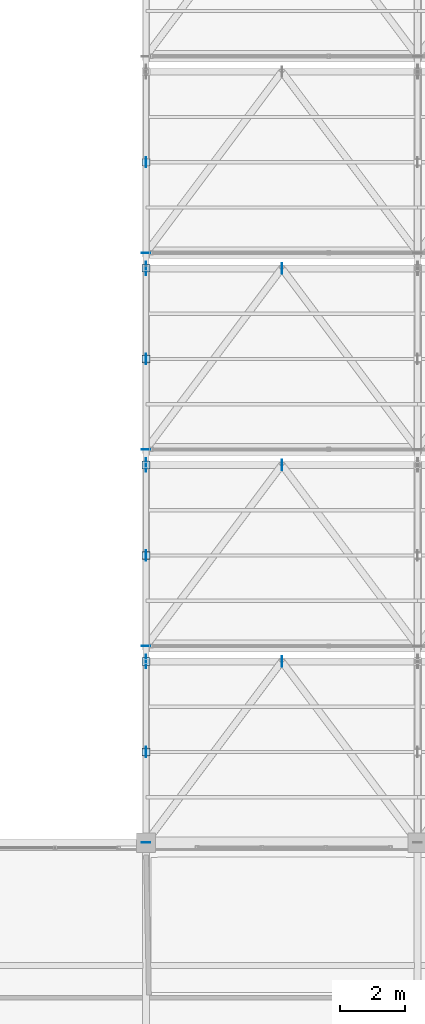
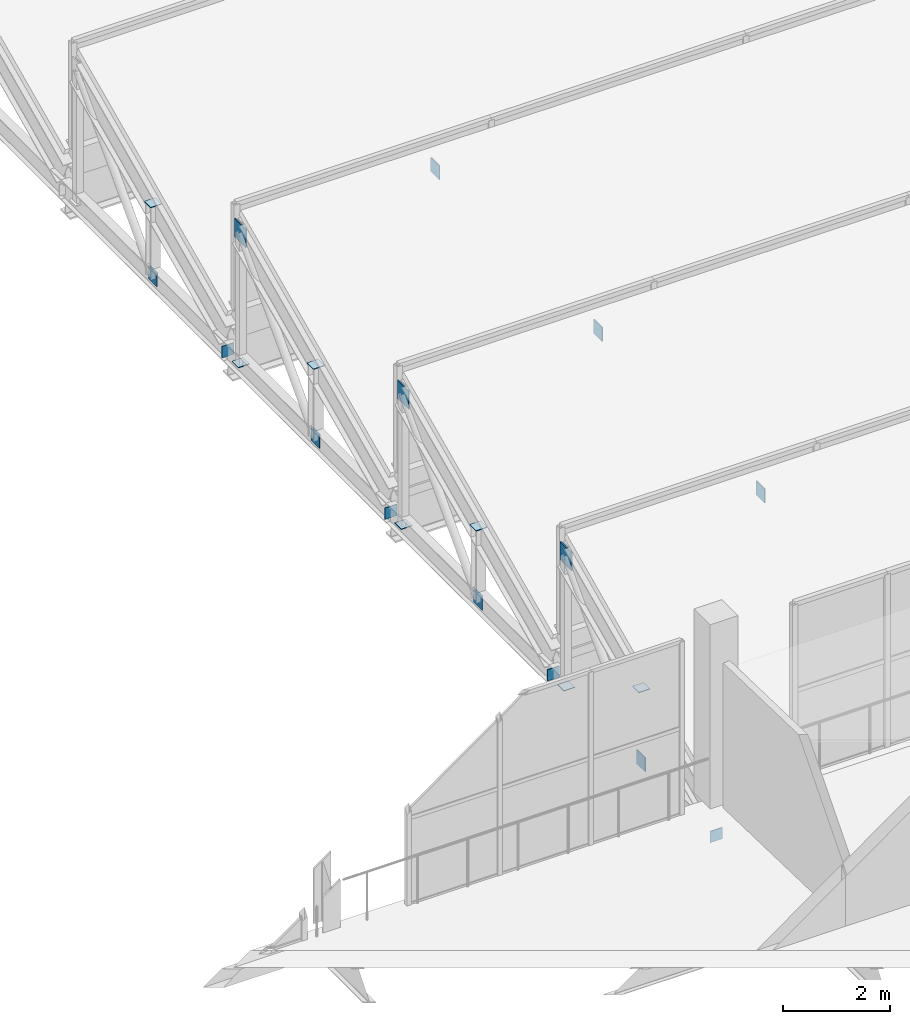
# One storey, part 178 of 217: 21 plates.
"""IFC4 building model written with IfcOpenShell, lengths in metres."""

import ifcopenshell
import ifcopenshell.guid

model = None  # the IFC model being written
_history = None  # IfcOwnerHistory: only IFC2X3 demands one
_inside = {}  # id of a spatial element -> (the spatial element, [elements in it])
_under = {}  # id of a project, library or spatial element -> (it, [spatial elements below it])
_declared = {}  # id of a project -> (the project, [libraries it declares])
_typed = {}  # id of a type object -> (the type object, [elements of that type])
_made_of = {}  # id of a material, layer set ... -> (it, [elements and type objects made of it])


def new_model(schema):
    """Start an empty IFC model of exactly this schema.

    Asked for "IFC4X3", IfcOpenShell would pick the latest addendum, in which some entities
    have other attributes; the version numbers below select the first issue.
    IFC2X3 requires an IfcOwnerHistory on every rooted entity: one is made here for all.
    """
    global model, _history
    if schema == "IFC4X3":
        model = ifcopenshell.file(schema_version=(4, 3, 0, 0))
    else:
        model = ifcopenshell.file(schema=schema)
    _inside.clear()
    _under.clear()
    _declared.clear()
    _typed.clear()
    _made_of.clear()
    _history = None
    if model.schema == "IFC2X3":
        org = make("IfcOrganization", Name="unknown")
        user = make(
            "IfcPersonAndOrganization",
            ThePerson=make("IfcPerson", FamilyName="unknown"),
            TheOrganization=org,
        )
        app = make(
            "IfcApplication",
            ApplicationDeveloper=org,
            Version="unknown",
            ApplicationFullName="unknown",
            ApplicationIdentifier="unknown",
        )
        _history = make(
            "IfcOwnerHistory",
            OwningUser=user,
            OwningApplication=app,
            ChangeAction="ADDED",
            CreationDate=0,
        )
    return model


def make(cls, **values):
    """One entity of the class cls with the attributes given. An attribute that is None is left unset."""
    return model.create_entity(
        cls, **{name: value for name, value in values.items() if value is not None}
    )


def rooted(cls, **values):
    """An entity with a GlobalId (a new one), such as an element, a storey or a relation."""
    return make(cls, GlobalId=ifcopenshell.guid.new(), OwnerHistory=_history, **values)


def si_unit(unit_type, name, prefix=None):
    """IfcSIUnit, for example si_unit("LENGTHUNIT", "METRE", prefix="MILLI")."""
    return make("IfcSIUnit", UnitType=unit_type, Prefix=prefix, Name=name)


def assignment(units):
    """IfcUnitAssignment: the units of a project."""
    return None if units is None else make("IfcUnitAssignment", Units=units)


def point(xyz):
    """IfcCartesianPoint."""
    return None if xyz is None else make("IfcCartesianPoint", Coordinates=xyz)


def direction(xyz):
    """IfcDirection."""
    return None if xyz is None else make("IfcDirection", DirectionRatios=xyz)


def frame(location, z_axis=None, x_axis=None):
    """IfcAxis2Placement3D, a coordinate frame: its origin and axes. An axis left out is left unset."""
    return make(
        "IfcAxis2Placement3D",
        Location=point(location),
        Axis=direction(z_axis),
        RefDirection=direction(x_axis),
    )


def frame_2d(location, x_axis=None):
    """IfcAxis2Placement2D, a coordinate frame in the plane: its origin and x axis."""
    return make(
        "IfcAxis2Placement2D", Location=point(location), RefDirection=direction(x_axis)
    )


def origin():
    """The frame at (0, 0, 0) with its axes left unset."""
    return frame((0.0, 0.0, 0.0))


def origin_2d():
    """The frame at (0, 0) in the plane with its x axis left unset."""
    return frame_2d((0.0, 0.0))


def place(relative_to, where):
    """IfcLocalPlacement: puts the frame where relative to a parent placement (None: the world)."""
    return make(
        "IfcLocalPlacement", PlacementRelTo=relative_to, RelativePlacement=where
    )


def context(
    kind, dimensions, precision=None, world=None, true_north=None, identifier=None
):
    """IfcGeometricRepresentationContext, for example the 3D "Model" context."""
    return make(
        "IfcGeometricRepresentationContext",
        ContextIdentifier=identifier,
        ContextType=kind,
        CoordinateSpaceDimension=dimensions,
        Precision=precision,
        WorldCoordinateSystem=world,
        TrueNorth=true_north,
    )


def subcontext(parent, identifier, kind, view, scale=None):
    """IfcGeometricRepresentationSubContext, for example "Body" below "Model"."""
    return make(
        "IfcGeometricRepresentationSubContext",
        ContextIdentifier=identifier,
        ContextType=kind,
        ParentContext=parent,
        TargetScale=scale,
        TargetView=view,
    )


def project(units=None, contexts=None):
    """IfcProject with its units and contexts."""
    return rooted(
        "IfcProject",
        Name="project",
        RepresentationContexts=contexts,
        UnitsInContext=assignment(units),
    )


def spatial(cls, under=None, at=None, **own):
    """A site, building, storey or space (cls), placed at a placement, below another one or the project."""
    s = rooted(cls, ObjectPlacement=at, **own)
    if under is not None:
        _under.setdefault(under.id(), (under, []))[1].append(s)
    return s


def profile(cls, at=None, kind="AREA", **sizes):
    """A parametric profile (cls). Its sizes go by their IFC names, for example OverallWidth=200.0."""
    return make(cls, ProfileType=kind, Position=at, **sizes)


def rectangle(**sizes):
    """IfcRectangleProfileDef."""
    return profile("IfcRectangleProfileDef", **sizes)


def extrude(swept, where, along, depth):
    """IfcExtrudedAreaSolid: the profile swept, set in the frame where, extruded along a direction by depth."""
    return make(
        "IfcExtrudedAreaSolid",
        SweptArea=swept,
        Position=where,
        ExtrudedDirection=direction(along),
        Depth=depth,
    )


def shape(context_of_items, identifier, shape_type, items):
    """IfcShapeRepresentation: the items that make up one representation, for example the "Body"."""
    return make(
        "IfcShapeRepresentation",
        ContextOfItems=context_of_items,
        RepresentationIdentifier=identifier,
        RepresentationType=shape_type,
        Items=items,
    )


def material(Name=None, Category=None):
    """IfcMaterial."""
    return make("IfcMaterial", Name=Name, Category=Category)


def layer(
    of_material, thickness, ventilated=None, Name=None, Category=None, Priority=None
):
    """IfcMaterialLayer: one layer of a wall or slab, of a material (None: an air gap)."""
    return make(
        "IfcMaterialLayer",
        Material=of_material,
        LayerThickness=thickness,
        IsVentilated=ventilated,
        Name=Name,
        Category=Category,
        Priority=Priority,
    )


def layer_set(layers, Name=None):
    """IfcMaterialLayerSet."""
    return make("IfcMaterialLayerSet", MaterialLayers=layers, LayerSetName=Name)


def made_of(thing, what):
    """Note that an element or type object is made of a material, layer set ...; save() writes the relation."""
    if what is not None:
        _made_of.setdefault(what.id(), (what, []))[1].append(thing)
    return thing


def type_object(cls, material=None, **own):
    """A type object (cls), such as IfcWallType, which elements share."""
    return made_of(rooted(cls, **own), material)


def element(
    cls,
    number,
    at=None,
    inside=None,
    cuts=None,
    type_object=None,
    material=None,
    context=None,
    identifier="Body",
    shape_type=None,
    held_by="IfcProductDefinitionShape",
    body=None,
    shapes=None,
    **own,
):
    """One element of the class cls, such as IfcWall. Its Tag is "e" and its number.

    at: its placement. inside: the storey or other place that contains it. cuts: it is an
    opening in that element (IfcRelVoidsElement). A single representation is given by context,
    identifier, shape_type and body (its items); several are given by shapes. held_by: the class
    of the entity that holds the representations. save() writes the other relations.
    """
    e = rooted(cls, Tag="e%d" % number, ObjectPlacement=at, **own)
    if body is not None:
        shapes = [shape(context, identifier, shape_type, body)]
    if shapes is not None:
        e.Representation = make(held_by, Representations=shapes)
    if inside is not None:
        _inside.setdefault(inside.id(), (inside, []))[1].append(e)
    if cuts is not None:
        rooted(
            "IfcRelVoidsElement", RelatingBuildingElement=cuts, RelatedOpeningElement=e
        )
    if type_object is not None:
        _typed.setdefault(type_object.id(), (type_object, []))[1].append(e)
    return made_of(e, material)


def aggregate(whole, parts):
    """IfcRelAggregates: a whole, such as a stair, and the parts it consists of."""
    return rooted("IfcRelAggregates", RelatingObject=whole, RelatedObjects=parts)


def save(model, path):
    """Write the relations noted so far, then the file.

    IfcRelAggregates (storeys below a building ...), IfcRelContainedInSpatialStructure (elements
    in a storey), IfcRelDefinesByType, IfcRelAssociatesMaterial and IfcRelDeclares: one each for
    every whole, place, type object, material and project.
    """
    for whole, parts in _under.values():
        aggregate(whole, parts)
    for where, things in _inside.values():
        rooted(
            "IfcRelContainedInSpatialStructure",
            RelatedElements=things,
            RelatingStructure=where,
        )
    for kind, things in _typed.values():
        rooted("IfcRelDefinesByType", RelatedObjects=things, RelatingType=kind)
    for what, things in _made_of.values():
        rooted("IfcRelAssociatesMaterial", RelatedObjects=things, RelatingMaterial=what)
    for by, libraries in _declared.values():
        rooted("IfcRelDeclares", RelatingContext=by, RelatedDefinitions=libraries)
    model.write(path)


model = new_model("IFC4")

# Units and contexts
model_context = context("Model", 3, precision=1e-05, world=origin(), true_north=direction((0.0, 1.0)))
body_context = subcontext(model_context, "Body", "Model", "MODEL_VIEW")
ifc_project = project(units=[si_unit("LENGTHUNIT", "METRE"), si_unit("AREAUNIT", "SQUARE_METRE"), si_unit("VOLUMEUNIT", "CUBIC_METRE"), si_unit("PLANEANGLEUNIT", "RADIAN"), si_unit("MASSUNIT", "GRAM", prefix="KILO")], contexts=[model_context])

# Site, building, storey
site_placement = place(None, origin())
site = spatial("IfcSite", under=ifc_project, at=site_placement, CompositionType="ELEMENT")
building_placement = place(site_placement, origin())
building = spatial("IfcBuilding", under=site, at=building_placement, Name="Zuvorla Pavilion Media Centre", CompositionType="ELEMENT")
storey_placement = place(building_placement, frame((0.0, 0.0, 9.60009765625)))
storey = spatial("IfcBuildingStorey", under=building, at=storey_placement, Name="L02", CompositionType="ELEMENT", Elevation=9.60009765625)

# Plates
ifc_material = material(Name="Steel S355", Category="steel")
ifc_layer_1 = layer(ifc_material, 0.01611328125)
ifc_layer_set_1 = layer_set([ifc_layer_1], Name="Steel S355")
plate_type_1 = type_object("IfcPlateType", Name="PLT-CAP-16", PredefinedType="USERDEFINED", material=ifc_layer_set_1)
for number, where, z_axis, x_axis, name in (
    (1, (66.800048828125, 89.60009765625, -1.01025390625), (0.0, 0.0, 1.0), (1.0, 0.0, 0.0), "L02 cap plate CP16 2"),
    (2, (66.800048828125, 95.679931640625, -1.01025390625), (0.0, 0.0, 1.0), (1.0, 0.0, 0.0), "L02 cap plate CP16 20"),
    (3, (66.800048828125, 101.760009765625, -1.01025390625), (0.0, 0.0, 1.0), (1.0, 0.0, 0.0), "L02 cap plate CP16 38"),
    (4, (66.800048828125, 107.840087890625, -1.01025390625), (0.0, 0.0, 1.0), (1.0, 0.0, 0.0), "L02 cap plate CP16 56"),
):
    element("IfcPlate", number, at=place(storey_placement, frame(where, z_axis=z_axis, x_axis=x_axis)), inside=storey, type_object=plate_type_1, Name=name, ObjectType="CAP_PLATE", PredefinedType="USERDEFINED", context=body_context, shape_type="SweptSolid", body=[
        extrude(rectangle(XDim=0.260009765625, YDim=0.01611328125, at=origin_2d()), origin(), (0.0, 0.0, 1.0), 0.260009765625),
    ])
for number, where, z_axis, x_axis, name in (
    (5, (66.800048828125, 95.199951171875, -0.88818359375), (0.0, 0.0, 1.0), (1.0, 0.0, 0.0), "L02 cap plate CP16 217"),
    (6, (66.800048828125, 92.39990234375, 0.771728515625), (0.0, 0.0, 1.0), (1.0, 0.0, 0.0), "L02 cap plate CP16 219"),
    (7, (66.800048828125, 101.280029296875, -0.88818359375), (0.0, 0.0, 1.0), (1.0, 0.0, 0.0), "L02 cap plate CP16 252"),
    (8, (66.800048828125, 98.47998046875, 0.771728515625), (0.0, 0.0, 1.0), (1.0, 0.0, 0.0), "L02 cap plate CP16 254"),
    (9, (66.800048828125, 107.360107421875, -0.88818359375), (0.0, 0.0, 1.0), (1.0, 0.0, 0.0), "L02 cap plate CP16 287"),
    (10, (66.800048828125, 104.56005859375, 0.771728515625), (0.0, 0.0, 1.0), (1.0, 0.0, 0.0), "L02 cap plate CP16 289"),
    (11, (66.800048828125, 110.639892578125, 0.771728515625), (0.0, 0.0, 1.0), (1.0, 0.0, 0.0), "L02 cap plate CP16 324"),
):
    element("IfcPlate", number, at=place(storey_placement, frame(where, z_axis=z_axis, x_axis=x_axis)), inside=storey, type_object=plate_type_1, Name=name, ObjectType="CAP_PLATE", PredefinedType="USERDEFINED", context=body_context, shape_type="SweptSolid", body=[
        extrude(rectangle(XDim=0.239990234375, YDim=0.239990234375, at=origin_2d()), origin(), (0.0, 0.0, 1.0), 0.01611328125),
    ])
ifc_layer_2 = layer(ifc_material, 0.02001953125)
ifc_layer_set_2 = layer_set([ifc_layer_2], Name="Steel S355")
plate_type_2 = type_object("IfcPlateType", Name="PLT-GUS-20", PredefinedType="USERDEFINED", material=ifc_layer_set_2)
for number, where, z_axis, x_axis, name in (
    (12, (66.800048828125, 92.39990234375, -1.0400390625), (0.0, 0.0, 1.0), (1.0, 0.0, 0.0), "L02 gusset plate GP20 218"),
    (13, (71.0, 95.199951171875, 1.919921875), (0.0, 0.0, 1.0), (1.0, 0.0, 0.0), "L02 gusset plate GP20 244"),
    (14, (66.800048828125, 98.47998046875, -1.0400390625), (0.0, 0.0, 1.0), (1.0, 0.0, 0.0), "L02 gusset plate GP20 253"),
    (15, (71.0, 101.280029296875, 1.919921875), (0.0, 0.0, 1.0), (1.0, 0.0, 0.0), "L02 gusset plate GP20 279"),
    (16, (66.800048828125, 104.56005859375, -1.0400390625), (0.0, 0.0, 1.0), (1.0, 0.0, 0.0), "L02 gusset plate GP20 288"),
    (17, (71.0, 107.360107421875, 1.919921875), (0.0, 0.0, 1.0), (1.0, 0.0, 0.0), "L02 gusset plate GP20 314"),
    (18, (66.800048828125, 110.639892578125, -1.0400390625), (0.0, 0.0, 1.0), (1.0, 0.0, 0.0), "L02 gusset plate GP20 323"),
):
    element("IfcPlate", number, at=place(storey_placement, frame(where, z_axis=z_axis, x_axis=x_axis)), inside=storey, type_object=plate_type_2, Name=name, ObjectType="GUSSET_PLATE", PredefinedType="USERDEFINED", context=body_context, shape_type="SweptSolid", body=[
        extrude(rectangle(XDim=0.02001953125, YDim=0.320068359375, at=origin_2d()), origin(), (0.0, 0.0, 1.0), 0.320068359375),
    ])
ifc_layer_3 = layer(ifc_material, 0.02490234375)
ifc_layer_set_3 = layer_set([ifc_layer_3], Name="Steel S355")
plate_type_3 = type_object("IfcPlateType", Name="PLT-GUS-25", PredefinedType="USERDEFINED", material=ifc_layer_set_3)
for number, where, z_axis, x_axis, name in (
    (19, (66.800048828125, 95.199951171875, 1.87353515625), (0.0, 0.0, 1.0), (1.0, 0.0, 0.0), "L02 gusset plate GP25 1"),
    (20, (66.800048828125, 101.280029296875, 1.87353515625), (0.0, 0.0, 1.0), (1.0, 0.0, 0.0), "L02 gusset plate GP25 19"),
    (21, (66.800048828125, 107.360107421875, 1.87353515625), (0.0, 0.0, 1.0), (1.0, 0.0, 0.0), "L02 gusset plate GP25 37"),
):
    element("IfcPlate", number, at=place(storey_placement, frame(where, z_axis=z_axis, x_axis=x_axis)), inside=storey, type_object=plate_type_3, Name=name, ObjectType="GUSSET_PLATE", PredefinedType="USERDEFINED", context=body_context, shape_type="SweptSolid", body=[
        extrude(rectangle(XDim=0.02490234375, YDim=0.419921875, at=origin_2d()), origin(), (0.0, 0.0, 1.0), 0.419921875),
    ])

save(model, "model.ifc")
